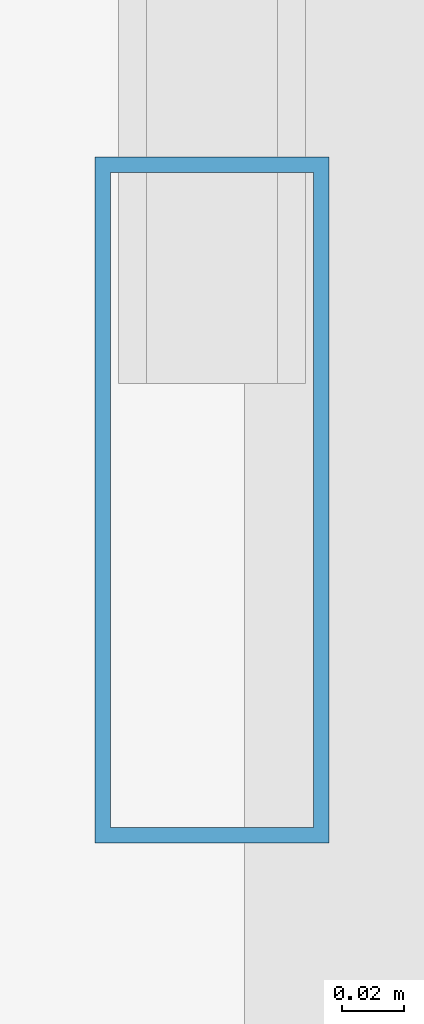
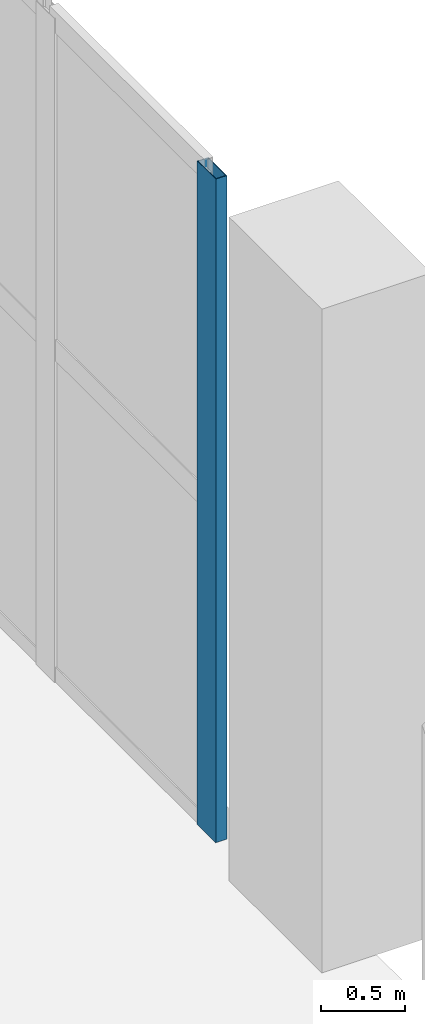
# One storey, part 2 of 13: 1 member, 1 element without a shape of its own.
"""IFC4 building model written with IfcOpenShell, lengths in metres."""

from ifc_helpers import new_model, si_unit, direction, frame, origin, origin_2d, place, context, subcontext, project, spatial, hollow_rectangle, extrude, material, layer, layer_set, material_profile, profile_set, type_object, element, aggregate, save


model = new_model("IFC4")

# Units and contexts
model_context = context("Model", 3, precision=1e-05, world=origin(), true_north=direction((0.0, 1.0)))
body_context = subcontext(model_context, "Body", "Model", "MODEL_VIEW")
ifc_project = project(units=[si_unit("LENGTHUNIT", "METRE"), si_unit("AREAUNIT", "SQUARE_METRE"), si_unit("VOLUMEUNIT", "CUBIC_METRE"), si_unit("PLANEANGLEUNIT", "RADIAN"), si_unit("MASSUNIT", "GRAM", prefix="KILO")], contexts=[model_context])

# Site, building, storey
site_placement = place(None, origin())
site = spatial("IfcSite", under=ifc_project, at=site_placement, CompositionType="ELEMENT")
building_placement = place(site_placement, origin())
building = spatial("IfcBuilding", under=site, at=building_placement, Name="Mawjdan Bourse Tower", CompositionType="ELEMENT")
storey_placement = place(building_placement, frame((0.0, 0.0, 10.800048828125)))
storey = spatial("IfcBuildingStorey", under=building, at=storey_placement, Name="L02", CompositionType="ELEMENT", Elevation=10.800048828125)

# Curtain wall, member
ifc_material_1 = material(Name="Thermally Broken Aluminium and Solar Glass", Category="aluminium")
ifc_layer = layer(ifc_material_1, 0.219970703125)
ifc_layer_set = layer_set([ifc_layer], Name="Thermally Broken Aluminium and Solar Glass")
curtain_wall_type = type_object("IfcCurtainWallType", Name="CW-ARCH", PredefinedType="USERDEFINED", material=ifc_layer_set)
curtain_wall_placement = place(storey_placement, origin())
curtain_wall = element("IfcCurtainWall", 1, at=curtain_wall_placement, inside=storey, type_object=curtain_wall_type, Name="L02 Giant Arch West Glazed Wall South", ObjectType="ARCHWAY GLAZED CURTAIN WALL", PredefinedType="USERDEFINED")
ifc_material_2 = material(Name="Thermally Broken Anodised Aluminium", Category="aluminium")
ifc_material_profile = material_profile(ifc_material_2, hollow_rectangle(XDim=0.074951171875, YDim=0.219970703125, WallThickness=0.0048828125, at=origin_2d()), Name="ALU-MUL-220X75")
ifc_profile_set = profile_set([ifc_material_profile], Name="Thermally Broken Anodised Aluminium")
member_type = type_object("IfcMemberType", Name="MUL-ALU-MUL-220X75", PredefinedType="MULLION", material=ifc_profile_set)
member_placement = place(storey_placement, frame((32.7900390625, 16.03759765625, 0.0), z_axis=(0.0, 0.0, 1.0), x_axis=(1.0, 0.0, 0.0)))
member = element("IfcMember", 2, at=member_placement, type_object=member_type, Name="CW-ARCH-L02-ARCH-W1 mullion 3", PredefinedType="MULLION", context=body_context, shape_type="SweptSolid", body=[
    extrude(hollow_rectangle(XDim=0.074951171875, YDim=0.219970703125, WallThickness=0.0048828125, at=origin_2d()), origin(), (0.0, 0.0, 1.0), 4.800048828125),
])
aggregate(curtain_wall, [member])

save(model, "model.ifc")
